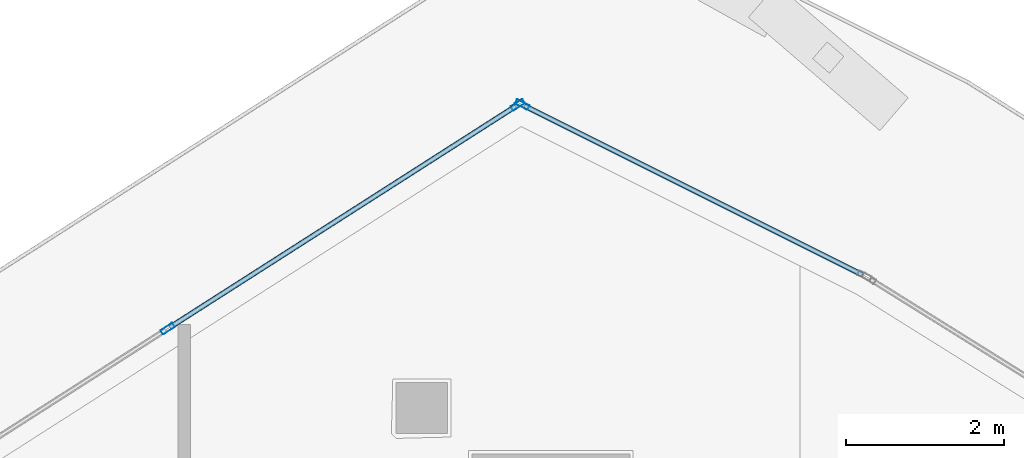
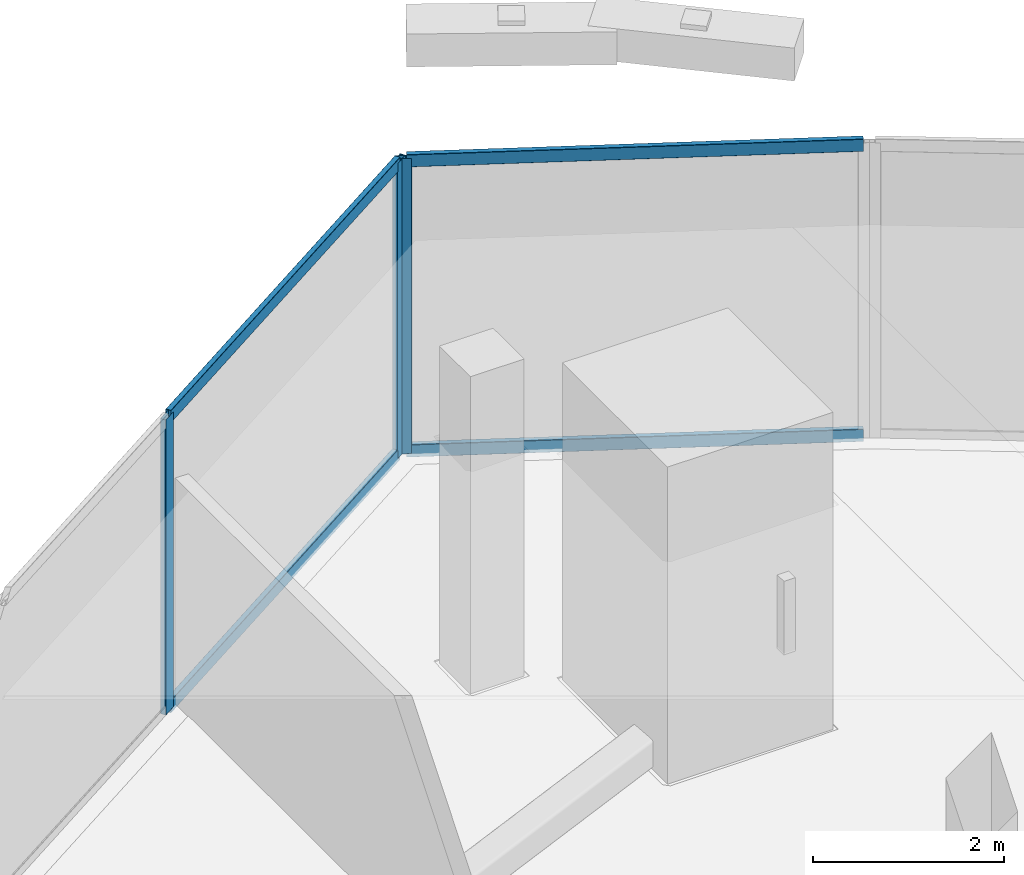
# One storey, part 23 of 45: 7 members, 2 elements without a shape of their own.
"""IFC4 building model written with IfcOpenShell, lengths in metres."""

from ifc_helpers import new_model, si_unit, direction, frame, origin, origin_2d, place, context, subcontext, project, spatial, hollow_rectangle, extrude, material, layer, layer_set, material_profile, profile_set, type_object, element, aggregate, save


model = new_model("IFC4")

# Units and contexts
model_context = context("Model", 3, precision=1e-05, world=origin(), true_north=direction((0.0, 1.0)))
body_context = subcontext(model_context, "Body", "Model", "MODEL_VIEW")
ifc_project = project(units=[si_unit("LENGTHUNIT", "METRE"), si_unit("AREAUNIT", "SQUARE_METRE"), si_unit("VOLUMEUNIT", "CUBIC_METRE"), si_unit("PLANEANGLEUNIT", "RADIAN"), si_unit("MASSUNIT", "GRAM", prefix="KILO")], contexts=[model_context])

# Site, building, storey
site_placement = place(None, origin())
site = spatial("IfcSite", under=ifc_project, at=site_placement, CompositionType="ELEMENT")
building_placement = place(site_placement, origin())
building = spatial("IfcBuilding", under=site, at=building_placement, Name="Qorvath Tower", CompositionType="ELEMENT")
storey_placement = place(building_placement, frame((0.0, 0.0, 126.0)))
storey = spatial("IfcBuildingStorey", under=building, at=storey_placement, Name="L28", CompositionType="ELEMENT", Elevation=126.0)

# Curtain wall, member
ifc_material_1 = material(Name="Anodised aluminium and triple low-E glass", Category="aluminium")
ifc_layer = layer(ifc_material_1, 0.179931640625)
ifc_layer_set = layer_set([ifc_layer], Name="CW-SYS-2")
curtain_wall_type = type_object("IfcCurtainWallType", Name="CW-SYS-2", PredefinedType="NOTDEFINED", material=ifc_layer_set)
curtain_wall_1_placement = place(storey_placement, origin())
curtain_wall_1 = element("IfcCurtainWall", 1, at=curtain_wall_1_placement, inside=storey, type_object=curtain_wall_type, Name="Curtain Wall CW-2 CW-T-L28-15.1", PredefinedType="NOTDEFINED")
ifc_material_2 = material(Name="Anodised aluminium 6063-T6", Category="aluminium")
ifc_material_profile_1 = material_profile(ifc_material_2, hollow_rectangle(XDim=0.06494140625, YDim=0.179931640625, WallThickness=0.00341796875, InnerFilletRadius=0.00341796875, OuterFilletRadius=0.007080078125, at=origin_2d()), Name="CWM 180x65")
ifc_profile_set_1 = profile_set([ifc_material_profile_1], Name="Anodised aluminium 6063-T6")
member_type_1 = type_object("IfcMemberType", Name="CWM-180", PredefinedType="MULLION", material=ifc_profile_set_1)
member_1_placement = place(storey_placement, frame((-15.707763671875, 30.775146484375, 0.0), z_axis=(0.0, 0.0, 1.0), x_axis=(-0.447262398188, -0.894402787992, 0.0)))
member_1 = element("IfcMember", 2, at=member_1_placement, type_object=member_type_1, Name="CW-2 mullion 2", PredefinedType="MULLION", context=body_context, shape_type="SweptSolid", body=[
    extrude(hollow_rectangle(XDim=0.06494140625, YDim=0.179931640625, WallThickness=0.00341796875, InnerFilletRadius=0.00341796875, OuterFilletRadius=0.007080078125, at=origin_2d()), origin(), (0.0, 0.0, 1.0), 3.77001953125),
])

# Curtain wall, members
curtain_wall_2_placement = place(storey_placement, origin())
curtain_wall_2 = element("IfcCurtainWall", 3, at=curtain_wall_2_placement, inside=storey, type_object=curtain_wall_type, Name="Curtain Wall CW-2 CW-T-L28-16.1", PredefinedType="NOTDEFINED")
member_2_placement = place(storey_placement, frame((-15.76416015625, 30.772216796875, 0.0), z_axis=(0.0, 0.0, 1.0), x_axis=(0.538548392681, -0.842594581481, 0.0)))
member_2 = element("IfcMember", 4, at=member_2_placement, type_object=member_type_1, Name="CW-2 mullion 1", PredefinedType="MULLION", context=body_context, shape_type="SweptSolid", body=[
    extrude(hollow_rectangle(XDim=0.06494140625, YDim=0.179931640625, WallThickness=0.00341796875, InnerFilletRadius=0.00341796875, OuterFilletRadius=0.007080078125, at=origin_2d()), origin(), (0.0, 0.0, 1.0), 3.77001953125),
])
member_3_placement = place(storey_placement, frame((-20.2021484375, 27.935546875, 0.0), z_axis=(0.0, 0.0, 1.0), x_axis=(0.538548392681, -0.842594581481, 0.0)))
member_3 = element("IfcMember", 5, at=member_3_placement, type_object=member_type_1, Name="CW-2 mullion 2", PredefinedType="MULLION", context=body_context, shape_type="SweptSolid", body=[
    extrude(hollow_rectangle(XDim=0.06494140625, YDim=0.179931640625, WallThickness=0.00341796875, InnerFilletRadius=0.00341796875, OuterFilletRadius=0.007080078125, at=origin_2d()), origin(), (0.0, 0.0, 1.0), 3.77001953125),
])

# Member
ifc_material_3 = material(Name="Anodised aluminium 6063-T6", Category="aluminium")
ifc_material_profile_2 = material_profile(ifc_material_3, hollow_rectangle(XDim=0.06494140625, YDim=0.159912109375, WallThickness=0.00341796875, InnerFilletRadius=0.00341796875, OuterFilletRadius=0.007080078125, at=origin_2d()), Name="CWT 160x65")
ifc_profile_set_2 = profile_set([ifc_material_profile_2], Name="Anodised aluminium 6063-T6")
member_type_2 = type_object("IfcMemberType", Name="CWT-160", PredefinedType="USERDEFINED", material=ifc_profile_set_2)
member_4_placement = place(storey_placement, frame((-11.396484375, 28.619140625, 0.032470703125), z_axis=(-0.894406793107, 0.447254388959, 0.0), x_axis=(-0.447254388959, -0.894406793107, 0.0)))
member_4 = element("IfcMember", 6, at=member_4_placement, type_object=member_type_2, Name="CW-2 transom 1.1", ObjectType="TRANSOM", PredefinedType="USERDEFINED", context=body_context, shape_type="SweptSolid", body=[
    extrude(hollow_rectangle(XDim=0.06494140625, YDim=0.159912109375, WallThickness=0.00341796875, InnerFilletRadius=0.00341796875, OuterFilletRadius=0.007080078125, at=origin_2d()), origin(), (0.0, 0.0, 1.0), 4.787841796875),
])

member_5_placement = place(storey_placement, frame((-11.396484375, 28.619140625, 3.737548828125), z_axis=(-0.894406793107, 0.447254388959, 0.0), x_axis=(-0.447254388959, -0.894406793107, 0.0)))
member_5 = element("IfcMember", 7, at=member_5_placement, type_object=member_type_2, Name="CW-2 transom 1.2", ObjectType="TRANSOM", PredefinedType="USERDEFINED", context=body_context, shape_type="SweptSolid", body=[
    extrude(hollow_rectangle(XDim=0.06494140625, YDim=0.159912109375, WallThickness=0.00341796875, InnerFilletRadius=0.00341796875, OuterFilletRadius=0.007080078125, at=origin_2d()), origin(), (0.0, 0.0, 1.0), 4.787841796875),
])

aggregate(curtain_wall_1, [member_1, member_4, member_5])

member_6_placement = place(storey_placement, frame((-15.79150390625, 30.754638671875, 0.032470703125), z_axis=(-0.842602796166, -0.538535540047, 0.0), x_axis=(0.538535540047, -0.842602796166, 0.0)))
member_6 = element("IfcMember", 8, at=member_6_placement, type_object=member_type_2, Name="CW-2 transom 1.1", ObjectType="TRANSOM", PredefinedType="USERDEFINED", context=body_context, shape_type="SweptSolid", body=[
    extrude(hollow_rectangle(XDim=0.06494140625, YDim=0.159912109375, WallThickness=0.00341796875, InnerFilletRadius=0.00341796875, OuterFilletRadius=0.007080078125, at=origin_2d()), origin(), (0.0, 0.0, 1.0), 5.2021484375),
])

member_7_placement = place(storey_placement, frame((-15.79150390625, 30.754638671875, 3.737548828125), z_axis=(-0.842602796166, -0.538535540047, 0.0), x_axis=(0.538535540047, -0.842602796166, 0.0)))
member_7 = element("IfcMember", 9, at=member_7_placement, type_object=member_type_2, Name="CW-2 transom 1.2", ObjectType="TRANSOM", PredefinedType="USERDEFINED", context=body_context, shape_type="SweptSolid", body=[
    extrude(hollow_rectangle(XDim=0.06494140625, YDim=0.159912109375, WallThickness=0.00341796875, InnerFilletRadius=0.00341796875, OuterFilletRadius=0.007080078125, at=origin_2d()), origin(), (0.0, 0.0, 1.0), 5.2021484375),
])

aggregate(curtain_wall_2, [member_2, member_3, member_6, member_7])

save(model, "model.ifc")
